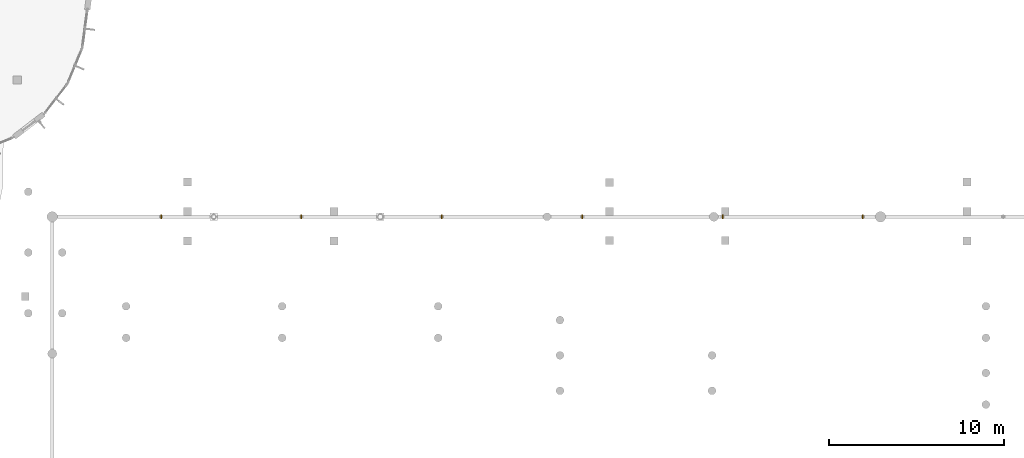
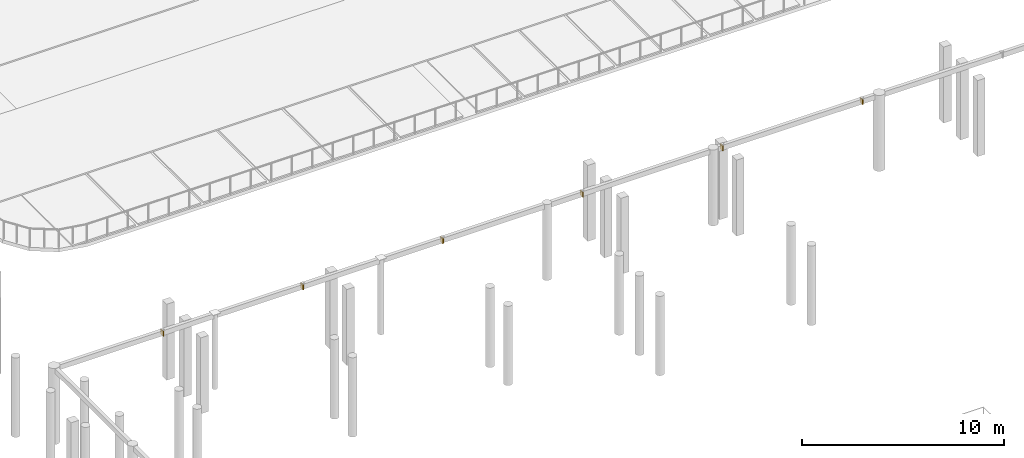
# One storey, part 119 of 120: 6 shading devices.
"""IFC4 building model written with IfcOpenShell, lengths in metres."""

from ifc_helpers import new_model, si_unit, direction, frame, origin, origin_2d, place, context, subcontext, project, spatial, rectangle, extrude, material, type_object, element, save


model = new_model("IFC4")

# Units and contexts
model_context = context("Model", 3, precision=1e-05, world=origin(), true_north=direction((0.0, 1.0)))
body_context = subcontext(model_context, "Body", "Model", "MODEL_VIEW")
ifc_project = project(units=[si_unit("LENGTHUNIT", "METRE"), si_unit("AREAUNIT", "SQUARE_METRE"), si_unit("VOLUMEUNIT", "CUBIC_METRE"), si_unit("PLANEANGLEUNIT", "RADIAN"), si_unit("MASSUNIT", "GRAM", prefix="KILO")], contexts=[model_context])

# Site, building, storey
site_placement = place(None, origin())
site = spatial("IfcSite", under=ifc_project, at=site_placement, CompositionType="ELEMENT")
building_placement = place(site_placement, origin())
building = spatial("IfcBuilding", under=site, at=building_placement, Name="Corveleigh Park Community Centre", CompositionType="ELEMENT")
storey_placement = place(building_placement, origin())
storey = spatial("IfcBuildingStorey", under=building, at=storey_placement, Name="L00", CompositionType="ELEMENT", Elevation=0.0)

# Shading devices
ifc_material = material(Name="Anodised aluminium 6063-T6", Category="aluminium")
shading_device_type = type_object("IfcShadingDeviceType", Name="SHD-LVR-ALU-250", PredefinedType="USERDEFINED", material=ifc_material)
for number, where, z_axis, x_axis, name in (
    (1, (60.0, 72.800048828125, 4.25), (0.0, 0.0, 1.0), (1.0, 0.0, 0.0), "Courtyard canopy louvre 1"),
    (2, (68.0, 72.800048828125, 4.25), (0.0, 0.0, 1.0), (1.0, 0.0, 0.0), "Courtyard canopy louvre 2"),
    (3, (76.0, 72.800048828125, 4.25), (0.0, 0.0, 1.0), (1.0, 0.0, 0.0), "Courtyard canopy louvre 3"),
    (4, (84.0, 72.800048828125, 4.25), (0.0, 0.0, 1.0), (1.0, 0.0, 0.0), "Courtyard canopy louvre 4"),
    (5, (92.0, 72.800048828125, 4.25), (0.0, 0.0, 1.0), (1.0, 0.0, 0.0), "Courtyard canopy louvre 5"),
    (6, (100.0, 72.800048828125, 4.25), (0.0, 0.0, 1.0), (1.0, 0.0, 0.0), "Courtyard canopy louvre 6"),
):
    element("IfcShadingDevice", number, at=place(storey_placement, frame(where, z_axis=z_axis, x_axis=x_axis)), inside=storey, type_object=shading_device_type, Name=name, ObjectType="LOUVRE", PredefinedType="USERDEFINED", context=body_context, shape_type="SweptSolid", body=[
        extrude(rectangle(XDim=0.054931640625, YDim=0.25, at=origin_2d()), origin(), (0.0, 0.0, 1.0), 0.300048828125),
    ])

save(model, "model.ifc")
